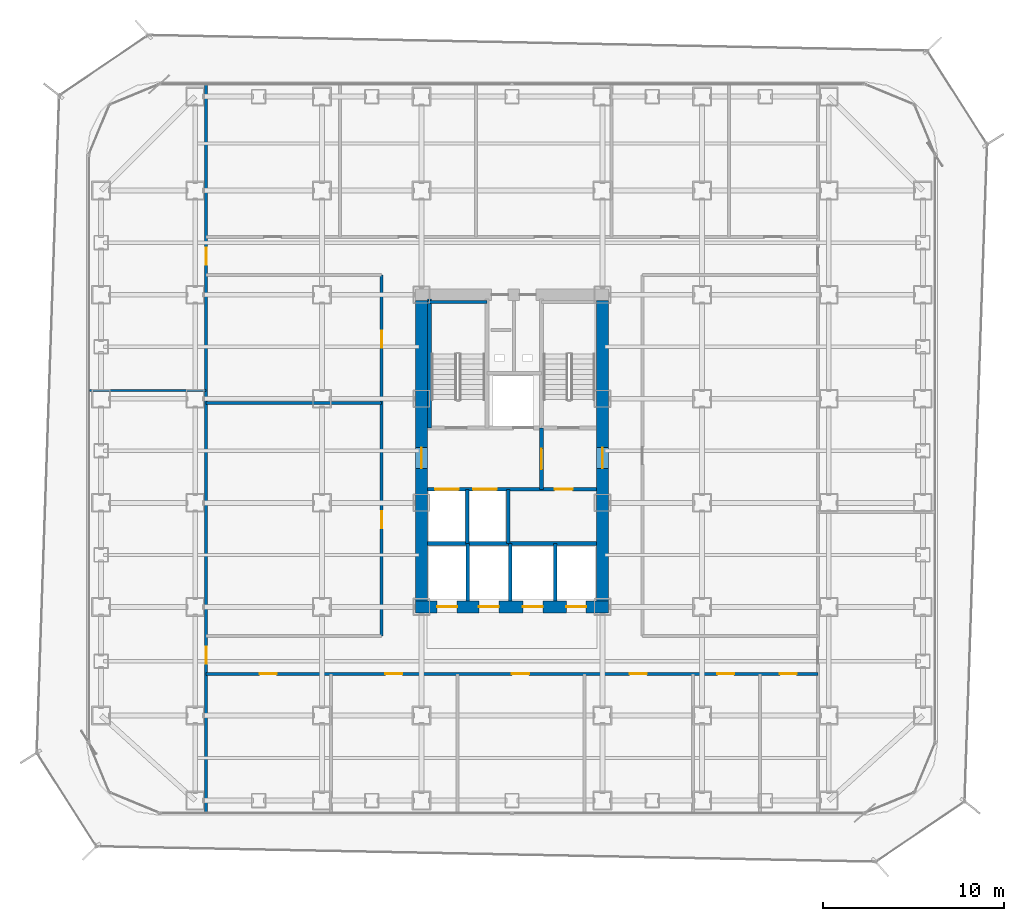
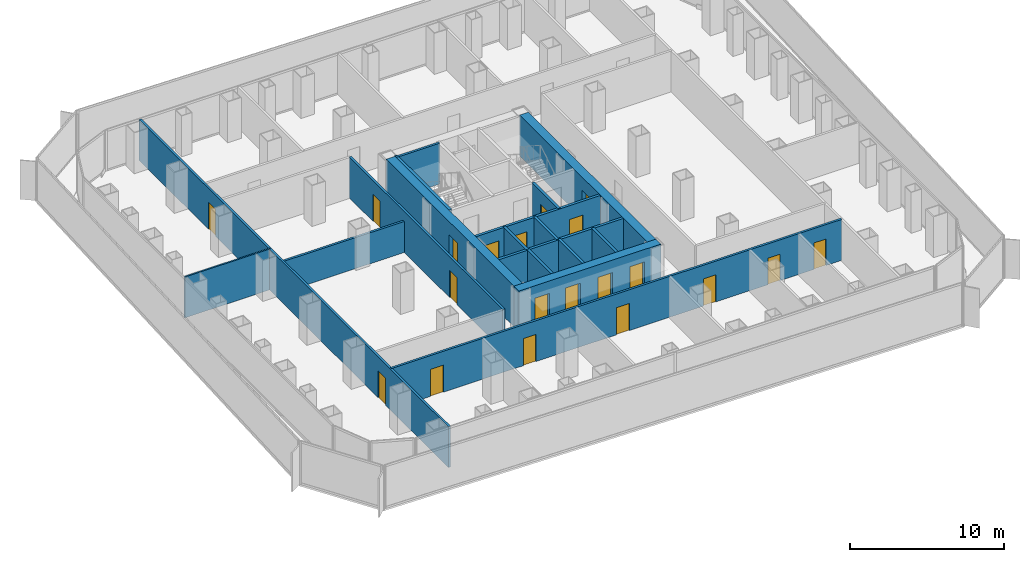
# One storey, part 17 of 22: 20 doors, 18 walls, 20 openings.
"""IFC4 building model written with IfcOpenShell, lengths in metres."""

from ifc_helpers import new_model, si_unit, direction, frame, frame_2d, origin, place, context, subcontext, project, spatial, rectangle, extrude, material, layer, layer_set, type_object, element, fill, save


model = new_model("IFC4")

# Units and contexts
model_context = context("Model", 3, precision=1e-05, world=origin(), true_north=direction((0.0, 1.0)))
body_context = subcontext(model_context, "Body", "Model", "MODEL_VIEW")
ifc_project = project(units=[si_unit("LENGTHUNIT", "METRE"), si_unit("AREAUNIT", "SQUARE_METRE"), si_unit("VOLUMEUNIT", "CUBIC_METRE"), si_unit("PLANEANGLEUNIT", "RADIAN"), si_unit("MASSUNIT", "GRAM", prefix="KILO")], contexts=[model_context])

# Site, building, storey
site_placement = place(None, origin())
site = spatial("IfcSite", under=ifc_project, at=site_placement, CompositionType="ELEMENT")
building_placement = place(site_placement, origin())
building = spatial("IfcBuilding", under=site, at=building_placement, Name="Kolveth Station Tower", CompositionType="ELEMENT")
storey_placement = place(building_placement, frame((0.0, 0.0, 84.60009765625)))
storey = spatial("IfcBuildingStorey", under=building, at=storey_placement, Name="L22", CompositionType="ELEMENT", Elevation=84.60009765625)

# Wall, openings, doors
ifc_material_1 = material(Name="Concrete C60/75", Category="concrete")
ifc_layer_1 = layer(ifc_material_1, 0.64990234375)
ifc_layer_set_1 = layer_set([ifc_layer_1], Name="Concrete C60/75")
wall_type_1 = type_object("IfcWallType", Name="Wall_CW-650", PredefinedType="SHEAR", material=ifc_layer_set_1)
wall_1_placement = place(storey_placement, frame((18.175048828125, 11.5, 0.0), z_axis=(0.0, 0.0, 1.0), x_axis=(1.0, 0.0, 0.0)))
wall_1 = element("IfcWall", 1, at=wall_1_placement, inside=storey, type_object=wall_type_1, Name="L22 Core RC Shear Wall S", PredefinedType="SHEAR", context=body_context, shape_type="SweptSolid", body=[
    extrude(rectangle(XDim=10.64990234375, YDim=0.64990234375, at=frame_2d((5.324951171875, 0.0))), origin(), (0.0, 0.0, 1.0), 3.239990234375),
])
opening_1_placement = place(wall_1_placement, frame((1.195068359375, 0.0, 0.0)))
opening_1 = element("IfcOpeningElement", 2, at=opening_1_placement, cuts=wall_1, Name="Opening LD1", PredefinedType="OPENING", context=body_context, shape_type="SweptSolid", body=[
    extrude(rectangle(XDim=1.10009765625, YDim=2.25, at=frame_2d((0.550048828125, 1.125))), frame((0.0, 0.3349609375, 0.0), z_axis=(0.0, -1.0, 0.0), x_axis=(1.0, 0.0, 0.0)), (0.0, 0.0, 1.0), 0.669921875),
])
opening_2_placement = place(wall_1_placement, frame((3.4951171875, 0.0, 0.0)))
opening_2 = element("IfcOpeningElement", 3, at=opening_2_placement, cuts=wall_1, Name="Opening LD1", PredefinedType="OPENING", context=body_context, shape_type="SweptSolid", body=[
    extrude(rectangle(XDim=1.10009765625, YDim=2.25, at=frame_2d((0.550048828125, 1.125))), frame((0.0, 0.3349609375, 0.0), z_axis=(0.0, -1.0, 0.0), x_axis=(1.0, 0.0, 0.0)), (0.0, 0.0, 1.0), 0.669921875),
])
opening_3_placement = place(wall_1_placement, frame((5.925048828125, 0.0, 0.0)))
opening_3 = element("IfcOpeningElement", 4, at=opening_3_placement, cuts=wall_1, Name="Opening LD1", PredefinedType="OPENING", context=body_context, shape_type="SweptSolid", body=[
    extrude(rectangle(XDim=1.10009765625, YDim=2.25, at=frame_2d((0.550048828125, 1.125))), frame((0.0, 0.3349609375, 0.0), z_axis=(0.0, -1.0, 0.0), x_axis=(1.0, 0.0, 0.0)), (0.0, 0.0, 1.0), 0.669921875),
])
opening_4_placement = place(wall_1_placement, frame((8.324951171875, 0.0, 0.0)))
opening_4 = element("IfcOpeningElement", 5, at=opening_4_placement, cuts=wall_1, Name="Opening LD1", PredefinedType="OPENING", context=body_context, shape_type="SweptSolid", body=[
    extrude(rectangle(XDim=1.10009765625, YDim=2.25, at=frame_2d((0.550048828125, 1.125))), frame((0.0, 0.3349609375, 0.0), z_axis=(0.0, -1.0, 0.0), x_axis=(1.0, 0.0, 0.0)), (0.0, 0.0, 1.0), 0.669921875),
])
ifc_material_2 = material(Name="Brushed stainless steel sliding landing doors", Category="steel")
door_type_1 = type_object("IfcDoorType", Name="Door_LD1", OperationType="NOTDEFINED", PredefinedType="DOOR", material=ifc_material_2)
door_1_placement = place(opening_1_placement, frame((1.10009765625, 0.0, 0.0), z_axis=(0.0, 0.0, 1.0), x_axis=(-1.0, 0.0, 0.0)))
door_1 = element("IfcDoor", 6, at=door_1_placement, inside=storey, type_object=door_type_1, Name="L22 Lift PL1 Landing Door", OperationType="DOUBLE_DOOR_SLIDING", OverallHeight=2.25, OverallWidth=1.10009765625, PredefinedType="DOOR", context=body_context, shape_type="SweptSolid", body=[
    extrude(rectangle(XDim=1.10009765625, YDim=2.25, at=frame_2d((0.550048828125, 1.125))), frame((0.0, 0.02490234375, 0.0), z_axis=(0.0, -1.0, 0.0), x_axis=(1.0, 0.0, 0.0)), (0.0, 0.0, 1.0), 0.050048828125),
])
fill(opening_1, door_1)
door_2_placement = place(opening_2_placement, frame((1.10009765625, 0.0, 0.0), z_axis=(0.0, 0.0, 1.0), x_axis=(-1.0, 0.0, 0.0)))
door_2 = element("IfcDoor", 7, at=door_2_placement, inside=storey, type_object=door_type_1, Name="L22 Lift PL2 Landing Door", OperationType="DOUBLE_DOOR_SLIDING", OverallHeight=2.25, OverallWidth=1.10009765625, PredefinedType="DOOR", context=body_context, shape_type="SweptSolid", body=[
    extrude(rectangle(XDim=1.10009765625, YDim=2.25, at=frame_2d((0.550048828125, 1.125))), frame((0.0, 0.02490234375, 0.0), z_axis=(0.0, -1.0, 0.0), x_axis=(1.0, 0.0, 0.0)), (0.0, 0.0, 1.0), 0.050048828125),
])
fill(opening_2, door_2)
door_3_placement = place(opening_3_placement, frame((1.10009765625, 0.0, 0.0), z_axis=(0.0, 0.0, 1.0), x_axis=(-1.0, 0.0, 0.0)))
door_3 = element("IfcDoor", 8, at=door_3_placement, inside=storey, type_object=door_type_1, Name="L22 Lift PM1 Landing Door", OperationType="DOUBLE_DOOR_SLIDING", OverallHeight=2.25, OverallWidth=1.10009765625, PredefinedType="DOOR", context=body_context, shape_type="SweptSolid", body=[
    extrude(rectangle(XDim=1.10009765625, YDim=2.25, at=frame_2d((0.550048828125, 1.125))), frame((0.0, 0.02490234375, 0.0), z_axis=(0.0, -1.0, 0.0), x_axis=(1.0, 0.0, 0.0)), (0.0, 0.0, 1.0), 0.050048828125),
])
fill(opening_3, door_3)
door_4_placement = place(opening_4_placement, frame((1.10009765625, 0.0, 0.0), z_axis=(0.0, 0.0, 1.0), x_axis=(-1.0, 0.0, 0.0)))
door_4 = element("IfcDoor", 9, at=door_4_placement, inside=storey, type_object=door_type_1, Name="L22 Lift PH1 Landing Door", OperationType="DOUBLE_DOOR_SLIDING", OverallHeight=2.25, OverallWidth=1.10009765625, PredefinedType="DOOR", context=body_context, shape_type="SweptSolid", body=[
    extrude(rectangle(XDim=1.10009765625, YDim=2.25, at=frame_2d((0.550048828125, 1.125))), frame((0.0, 0.02490234375, 0.0), z_axis=(0.0, -1.0, 0.0), x_axis=(1.0, 0.0, 0.0)), (0.0, 0.0, 1.0), 0.050048828125),
])
fill(opening_4, door_4)

# Wall, opening, door
wall_2_placement = place(storey_placement, frame((18.5, 11.824951171875, 0.0), z_axis=(0.0, 0.0, 1.0), x_axis=(0.0, 1.0, 0.0)))
wall_2 = element("IfcWall", 10, at=wall_2_placement, inside=storey, type_object=wall_type_1, Name="L22 Core RC Shear Wall W", PredefinedType="SHEAR", context=body_context, shape_type="SweptSolid", body=[
    extrude(rectangle(XDim=16.60009765625, YDim=0.64990234375, at=frame_2d((8.300048828125, 0.0))), origin(), (0.0, 0.0, 1.0), 3.239990234375),
])
opening_5_placement = place(wall_2_placement, frame((7.324951171875, 0.0, 0.0)))
opening_5 = element("IfcOpeningElement", 11, at=opening_5_placement, cuts=wall_2, Name="Opening FD1", PredefinedType="OPENING", context=body_context, shape_type="SweptSolid", body=[
    extrude(rectangle(XDim=1.14990234375, YDim=2.199951171875, at=frame_2d((0.574951171875, 1.10009765625))), frame((0.0, 0.3349609375, 0.0), z_axis=(0.0, -1.0, 0.0), x_axis=(1.0, 0.0, 0.0)), (0.0, 0.0, 1.0), 0.669921875),
])
ifc_material_3 = material(Name="Fire-rated Steel S355 leaf and frame", Category="steel")
door_type_2 = type_object("IfcDoorType", Name="Door_FD1", OperationType="NOTDEFINED", PredefinedType="DOOR", material=ifc_material_3)
door_5_placement = place(opening_5_placement, frame((1.14990234375, 0.0, 0.0), z_axis=(0.0, 0.0, 1.0), x_axis=(-1.0, 0.0, 0.0)))
door_5 = element("IfcDoor", 12, at=door_5_placement, inside=storey, type_object=door_type_2, Name="L22 West Corridor to Firefighting Lobby Door", OperationType="SINGLE_SWING_RIGHT", OverallHeight=2.199951171875, OverallWidth=1.14990234375, PredefinedType="DOOR", context=body_context, shape_type="SweptSolid", body=[
    extrude(rectangle(XDim=1.14990234375, YDim=2.199951171875, at=frame_2d((0.574951171875, 1.10009765625))), frame((0.0, 0.02490234375, 0.0), z_axis=(0.0, -1.0, 0.0), x_axis=(1.0, 0.0, 0.0)), (0.0, 0.0, 1.0), 0.050048828125),
])
fill(opening_5, door_5)

wall_3_placement = place(storey_placement, frame((28.5, 11.824951171875, 0.0), z_axis=(0.0, 0.0, 1.0), x_axis=(0.0, 1.0, 0.0)))
wall_3 = element("IfcWall", 13, at=wall_3_placement, inside=storey, type_object=wall_type_1, Name="L22 Core RC Shear Wall E", PredefinedType="SHEAR", context=body_context, shape_type="SweptSolid", body=[
    extrude(rectangle(XDim=16.60009765625, YDim=0.64990234375, at=frame_2d((8.300048828125, 0.0))), origin(), (0.0, 0.0, 1.0), 3.239990234375),
])
opening_6_placement = place(wall_3_placement, frame((7.324951171875, 0.0, 0.0)))
opening_6 = element("IfcOpeningElement", 14, at=opening_6_placement, cuts=wall_3, Name="Opening FD1", PredefinedType="OPENING", context=body_context, shape_type="SweptSolid", body=[
    extrude(rectangle(XDim=1.14990234375, YDim=2.199951171875, at=frame_2d((0.574951171875, 1.10009765625))), frame((0.0, 0.3349609375, 0.0), z_axis=(0.0, -1.0, 0.0), x_axis=(1.0, 0.0, 0.0)), (0.0, 0.0, 1.0), 0.669921875),
])
door_6_placement = place(opening_6_placement, origin())
door_6 = element("IfcDoor", 15, at=door_6_placement, inside=storey, type_object=door_type_2, Name="L22 East Corridor to Stair Lobby Door", OperationType="SINGLE_SWING_LEFT", OverallHeight=2.199951171875, OverallWidth=1.14990234375, PredefinedType="DOOR", context=body_context, shape_type="SweptSolid", body=[
    extrude(rectangle(XDim=1.14990234375, YDim=2.199951171875, at=frame_2d((0.574951171875, 1.10009765625))), frame((0.0, 0.02490234375, 0.0), z_axis=(0.0, -1.0, 0.0), x_axis=(1.0, 0.0, 0.0)), (0.0, 0.0, 1.0), 0.050048828125),
])
fill(opening_6, door_6)

# Walls
ifc_material_4 = material(Name="Framed gypsum partition")
ifc_layer_2 = layer(ifc_material_4, 0.114990234375)
ifc_layer_set_2 = layer_set([ifc_layer_2], Name="Framed gypsum partition")
wall_type_2 = type_object("IfcWallType", Name="Wall_IW-115", PredefinedType="PARTITIONING", material=ifc_layer_set_2)
wall_4_placement = place(storey_placement, frame((0.159912109375, 23.449951171875, 0.0), z_axis=(0.0, 0.0, 1.0), x_axis=(1.0, 0.0, 0.0)))
element("IfcWall", 16, at=wall_4_placement, inside=storey, type_object=wall_type_2, Name="L22 Partition Wall WL-L22-OWM", PredefinedType="PARTITIONING", context=body_context, shape_type="SweptSolid", body=[
    extrude(rectangle(XDim=6.440185546875, YDim=0.114990234375, at=frame_2d((3.22021484375, 0.0))), origin(), (0.0, 0.0, 1.0), 3.239990234375),
])
ifc_material_5 = material(Name="Acoustic double-stud gypsum partition")
ifc_layer_3 = layer(ifc_material_5, 0.1650390625)
ifc_layer_set_3 = layer_set([ifc_layer_3], Name="Acoustic double-stud gypsum partition")
wall_type_3 = type_object("IfcWallType", Name="Wall_IW-165", PredefinedType="PARTITIONING", material=ifc_layer_set_3)
wall_5_placement = place(storey_placement, frame((18.8349609375, 28.3349609375, 0.0), z_axis=(0.0, 0.0, 1.0), x_axis=(1.0, 0.0, 0.0)))
element("IfcWall", 17, at=wall_5_placement, inside=storey, type_object=wall_type_3, Name="L22 Stair Shaft Wall WL-L22-ST1-N", PredefinedType="PARTITIONING", context=body_context, shape_type="SweptSolid", body=[
    extrude(rectangle(XDim=3.275146484375, YDim=0.1650390625, at=frame_2d((1.6376953125, 0.0))), origin(), (0.0, 0.0, 1.0), 3.239990234375),
])

# Wall, openings, doors
wall_6_placement = place(storey_placement, frame((6.60009765625, 7.800048828125, 0.0), z_axis=(0.0, 0.0, 1.0), x_axis=(1.0, 0.0, 0.0)))
wall_6 = element("IfcWall", 18, at=wall_6_placement, inside=storey, type_object=wall_type_3, Name="L22 Partition Wall WL-L22-OS", PredefinedType="PARTITIONING", context=body_context, shape_type="SweptSolid", body=[
    extrude(rectangle(XDim=33.7998046875, YDim=0.1650390625, at=frame_2d((16.89990234375, 0.0))), origin(), (0.0, 0.0, 1.0), 3.239990234375),
])
opening_7_placement = place(wall_6_placement, frame((2.949951171875, 0.0, 0.0)))
opening_7 = element("IfcOpeningElement", 19, at=opening_7_placement, cuts=wall_6, Name="Opening ID1", PredefinedType="OPENING", context=body_context, shape_type="SweptSolid", body=[
    extrude(rectangle(XDim=0.949951171875, YDim=2.14990234375, at=frame_2d((0.47509765625, 1.074951171875))), frame((0.0, 0.092529296875, 0.0), z_axis=(0.0, -1.0, 0.0), x_axis=(1.0, 0.0, 0.0)), (0.0, 0.0, 1.0), 0.18505859375),
])
opening_8_placement = place(wall_6_placement, frame((9.89990234375, 0.0, 0.0)))
opening_8 = element("IfcOpeningElement", 20, at=opening_8_placement, cuts=wall_6, Name="Opening ID1", PredefinedType="OPENING", context=body_context, shape_type="SweptSolid", body=[
    extrude(rectangle(XDim=0.949951171875, YDim=2.14990234375, at=frame_2d((0.47509765625, 1.074951171875))), frame((0.0, 0.092529296875, 0.0), z_axis=(0.0, -1.0, 0.0), x_axis=(1.0, 0.0, 0.0)), (0.0, 0.0, 1.0), 0.18505859375),
])
opening_9_placement = place(wall_6_placement, frame((16.89990234375, 0.0, 0.0)))
opening_9 = element("IfcOpeningElement", 21, at=opening_9_placement, cuts=wall_6, Name="Opening ID1", PredefinedType="OPENING", context=body_context, shape_type="SweptSolid", body=[
    extrude(rectangle(XDim=0.949951171875, YDim=2.14990234375, at=frame_2d((0.47509765625, 1.074951171875))), frame((0.0, 0.092529296875, 0.0), z_axis=(0.0, -1.0, 0.0), x_axis=(1.0, 0.0, 0.0)), (0.0, 0.0, 1.0), 0.18505859375),
])
opening_10_placement = place(wall_6_placement, frame((23.39990234375, 0.0, 0.0)))
opening_10 = element("IfcOpeningElement", 22, at=opening_10_placement, cuts=wall_6, Name="Opening ID1", PredefinedType="OPENING", context=body_context, shape_type="SweptSolid", body=[
    extrude(rectangle(XDim=0.949951171875, YDim=2.14990234375, at=frame_2d((0.47509765625, 1.074951171875))), frame((0.0, 0.092529296875, 0.0), z_axis=(0.0, -1.0, 0.0), x_axis=(1.0, 0.0, 0.0)), (0.0, 0.0, 1.0), 0.18505859375),
])
opening_11_placement = place(wall_6_placement, frame((28.25, 0.0, 0.0)))
opening_11 = element("IfcOpeningElement", 23, at=opening_11_placement, cuts=wall_6, Name="Opening ID2", PredefinedType="OPENING", context=body_context, shape_type="SweptSolid", body=[
    extrude(rectangle(XDim=0.919921875, YDim=2.10009765625, at=frame_2d((0.4599609375, 1.050048828125))), frame((0.0, 0.092529296875, 0.0), z_axis=(0.0, -1.0, 0.0), x_axis=(1.0, 0.0, 0.0)), (0.0, 0.0, 1.0), 0.18505859375),
])
opening_12_placement = place(wall_6_placement, frame((31.699951171875, 0.0, 0.0)))
opening_12 = element("IfcOpeningElement", 24, at=opening_12_placement, cuts=wall_6, Name="Opening ID2", PredefinedType="OPENING", context=body_context, shape_type="SweptSolid", body=[
    extrude(rectangle(XDim=0.919921875, YDim=2.10009765625, at=frame_2d((0.4599609375, 1.050048828125))), frame((0.0, 0.092529296875, 0.0), z_axis=(0.0, -1.0, 0.0), x_axis=(1.0, 0.0, 0.0)), (0.0, 0.0, 1.0), 0.18505859375),
])
ifc_material_6 = material(Name="Acoustic hardwood leaf and aluminium frame", Category="wood")
door_type_3 = type_object("IfcDoorType", Name="Door_ID1", OperationType="NOTDEFINED", PredefinedType="DOOR", material=ifc_material_6)
door_7_placement = place(opening_7_placement, frame((0.949951171875, 0.0, 0.0), z_axis=(0.0, 0.0, 1.0), x_axis=(-1.0, 0.0, 0.0)))
door_7 = element("IfcDoor", 25, at=door_7_placement, inside=storey, type_object=door_type_3, Name="L22 Wellness Treatment Room 1 Door", OperationType="SINGLE_SWING_LEFT", OverallHeight=2.14990234375, OverallWidth=0.949951171875, PredefinedType="DOOR", context=body_context, shape_type="SweptSolid", body=[
    extrude(rectangle(XDim=0.949951171875, YDim=2.14990234375, at=frame_2d((0.47509765625, 1.074951171875))), frame((0.0, 0.02490234375, 0.0), z_axis=(0.0, -1.0, 0.0), x_axis=(1.0, 0.0, 0.0)), (0.0, 0.0, 1.0), 0.050048828125),
])
fill(opening_7, door_7)
door_8_placement = place(opening_8_placement, frame((0.949951171875, 0.0, 0.0), z_axis=(0.0, 0.0, 1.0), x_axis=(-1.0, 0.0, 0.0)))
door_8 = element("IfcDoor", 26, at=door_8_placement, inside=storey, type_object=door_type_3, Name="L22 Wellness Treatment Room 2 Door", OperationType="SINGLE_SWING_LEFT", OverallHeight=2.14990234375, OverallWidth=0.949951171875, PredefinedType="DOOR", context=body_context, shape_type="SweptSolid", body=[
    extrude(rectangle(XDim=0.949951171875, YDim=2.14990234375, at=frame_2d((0.47509765625, 1.074951171875))), frame((0.0, 0.02490234375, 0.0), z_axis=(0.0, -1.0, 0.0), x_axis=(1.0, 0.0, 0.0)), (0.0, 0.0, 1.0), 0.050048828125),
])
fill(opening_8, door_8)
door_9_placement = place(opening_9_placement, frame((0.949951171875, 0.0, 0.0), z_axis=(0.0, 0.0, 1.0), x_axis=(-1.0, 0.0, 0.0)))
door_9 = element("IfcDoor", 27, at=door_9_placement, inside=storey, type_object=door_type_3, Name="L22 Wellness Treatment Room 3 Door", OperationType="SINGLE_SWING_RIGHT", OverallHeight=2.14990234375, OverallWidth=0.949951171875, PredefinedType="DOOR", context=body_context, shape_type="SweptSolid", body=[
    extrude(rectangle(XDim=0.949951171875, YDim=2.14990234375, at=frame_2d((0.47509765625, 1.074951171875))), frame((0.0, 0.02490234375, 0.0), z_axis=(0.0, -1.0, 0.0), x_axis=(1.0, 0.0, 0.0)), (0.0, 0.0, 1.0), 0.050048828125),
])
fill(opening_9, door_9)
door_10_placement = place(opening_10_placement, frame((0.949951171875, 0.0, 0.0), z_axis=(0.0, 0.0, 1.0), x_axis=(-1.0, 0.0, 0.0)))
door_10 = element("IfcDoor", 28, at=door_10_placement, inside=storey, type_object=door_type_3, Name="L22 Executive Study 1 Door", OperationType="SINGLE_SWING_LEFT", OverallHeight=2.14990234375, OverallWidth=0.949951171875, PredefinedType="DOOR", context=body_context, shape_type="SweptSolid", body=[
    extrude(rectangle(XDim=0.949951171875, YDim=2.14990234375, at=frame_2d((0.47509765625, 1.074951171875))), frame((0.0, 0.02490234375, 0.0), z_axis=(0.0, -1.0, 0.0), x_axis=(1.0, 0.0, 0.0)), (0.0, 0.0, 1.0), 0.050048828125),
])
fill(opening_10, door_10)
ifc_material_7 = material(Name="Moisture-resistant hardwood leaf", Category="wood")
door_type_4 = type_object("IfcDoorType", Name="Door_ID2", OperationType="NOTDEFINED", PredefinedType="DOOR", material=ifc_material_7)
door_11_placement = place(opening_11_placement, frame((0.919921875, 0.0, 0.0), z_axis=(0.0, 0.0, 1.0), x_axis=(-1.0, 0.0, 0.0)))
door_11 = element("IfcDoor", 29, at=door_11_placement, inside=storey, type_object=door_type_4, Name="L22 Staff WC Door", OperationType="SINGLE_SWING_RIGHT", OverallHeight=2.10009765625, OverallWidth=0.919921875, PredefinedType="DOOR", context=body_context, shape_type="SweptSolid", body=[
    extrude(rectangle(XDim=0.919921875, YDim=2.10009765625, at=frame_2d((0.4599609375, 1.050048828125))), frame((0.0, 0.02490234375, 0.0), z_axis=(0.0, -1.0, 0.0), x_axis=(1.0, 0.0, 0.0)), (0.0, 0.0, 1.0), 0.050048828125),
])
fill(opening_11, door_11)
door_12_placement = place(opening_12_placement, frame((0.919921875, 0.0, 0.0), z_axis=(0.0, 0.0, 1.0), x_axis=(-1.0, 0.0, 0.0)))
door_12 = element("IfcDoor", 30, at=door_12_placement, inside=storey, type_object=door_type_4, Name="L22 Accessible WC Door", OperationType="SINGLE_SWING_LEFT", OverallHeight=2.10009765625, OverallWidth=0.919921875, PredefinedType="DOOR", context=body_context, shape_type="SweptSolid", body=[
    extrude(rectangle(XDim=0.919921875, YDim=2.10009765625, at=frame_2d((0.4599609375, 1.050048828125))), frame((0.0, 0.02490234375, 0.0), z_axis=(0.0, -1.0, 0.0), x_axis=(1.0, 0.0, 0.0)), (0.0, 0.0, 1.0), 0.050048828125),
])
fill(opening_12, door_12)

wall_7_placement = place(storey_placement, frame((16.300048828125, 9.89990234375, 0.0), z_axis=(0.0, 0.0, 1.0), x_axis=(0.0, 1.0, 0.0)))
wall_7 = element("IfcWall", 31, at=wall_7_placement, inside=storey, type_object=wall_type_3, Name="L22 Partition Wall WL-L22-OCW", PredefinedType="PARTITIONING", context=body_context, shape_type="SweptSolid", body=[
    extrude(rectangle(XDim=19.9501953125, YDim=0.1650390625, at=frame_2d((9.97509765625, 0.0))), origin(), (0.0, 0.0, 1.0), 3.239990234375),
])
opening_13_placement = place(wall_7_placement, frame((5.93701171875, 0.0, 0.0)))
opening_13 = element("IfcOpeningElement", 32, at=opening_13_placement, cuts=wall_7, Name="Opening ID1", PredefinedType="OPENING", context=body_context, shape_type="SweptSolid", body=[
    extrude(rectangle(XDim=0.949951171875, YDim=2.14990234375, at=frame_2d((0.47509765625, 1.074951171875))), frame((0.0, 0.092529296875, 0.0), z_axis=(0.0, -1.0, 0.0), x_axis=(1.0, 0.0, 0.0)), (0.0, 0.0, 1.0), 0.18505859375),
])
opening_14_placement = place(wall_7_placement, frame((15.910888671875, 0.0, 0.0)))
opening_14 = element("IfcOpeningElement", 33, at=opening_14_placement, cuts=wall_7, Name="Opening ID1", PredefinedType="OPENING", context=body_context, shape_type="SweptSolid", body=[
    extrude(rectangle(XDim=0.949951171875, YDim=2.14990234375, at=frame_2d((0.47509765625, 1.074951171875))), frame((0.0, 0.092529296875, 0.0), z_axis=(0.0, -1.0, 0.0), x_axis=(1.0, 0.0, 0.0)), (0.0, 0.0, 1.0), 0.18505859375),
])
door_13_placement = place(opening_13_placement, frame((0.949951171875, 0.0, 0.0), z_axis=(0.0, 0.0, 1.0), x_axis=(-1.0, 0.0, 0.0)))
door_13 = element("IfcDoor", 34, at=door_13_placement, inside=storey, type_object=door_type_3, Name="L22 Internal Meeting Room W1 Door", OperationType="SINGLE_SWING_LEFT", OverallHeight=2.14990234375, OverallWidth=0.949951171875, PredefinedType="DOOR", context=body_context, shape_type="SweptSolid", body=[
    extrude(rectangle(XDim=0.949951171875, YDim=2.14990234375, at=frame_2d((0.47509765625, 1.074951171875))), frame((0.0, 0.02490234375, 0.0), z_axis=(0.0, -1.0, 0.0), x_axis=(1.0, 0.0, 0.0)), (0.0, 0.0, 1.0), 0.050048828125),
])
fill(opening_13, door_13)
door_14_placement = place(opening_14_placement, frame((0.949951171875, 0.0, 0.0), z_axis=(0.0, 0.0, 1.0), x_axis=(-1.0, 0.0, 0.0)))
door_14 = element("IfcDoor", 35, at=door_14_placement, inside=storey, type_object=door_type_3, Name="L22 Print and Archive Room Door", OperationType="SINGLE_SWING_RIGHT", OverallHeight=2.14990234375, OverallWidth=0.949951171875, PredefinedType="DOOR", context=body_context, shape_type="SweptSolid", body=[
    extrude(rectangle(XDim=0.949951171875, YDim=2.14990234375, at=frame_2d((0.47509765625, 1.074951171875))), frame((0.0, 0.02490234375, 0.0), z_axis=(0.0, -1.0, 0.0), x_axis=(1.0, 0.0, 0.0)), (0.0, 0.0, 1.0), 0.050048828125),
])
fill(opening_14, door_14)

wall_8_placement = place(storey_placement, frame((6.60009765625, 0.159912109375, 0.0), z_axis=(0.0, 0.0, 1.0), x_axis=(0.0, 1.0, 0.0)))
wall_8 = element("IfcWall", 36, at=wall_8_placement, inside=storey, type_object=wall_type_3, Name="L22 Partition Wall WL-L22-OWEND", PredefinedType="PARTITIONING", context=body_context, shape_type="SweptSolid", body=[
    extrude(rectangle(XDim=40.18017578125, YDim=0.1650390625, at=frame_2d((20.090087890625, 0.0))), origin(), (0.0, 0.0, 1.0), 3.239990234375),
])
opening_15_placement = place(wall_8_placement, frame((8.18994140625, 0.0, 0.0)))
opening_15 = element("IfcOpeningElement", 37, at=opening_15_placement, cuts=wall_8, Name="Opening ID1", PredefinedType="OPENING", context=body_context, shape_type="SweptSolid", body=[
    extrude(rectangle(XDim=0.949951171875, YDim=2.14990234375, at=frame_2d((0.47509765625, 1.074951171875))), frame((0.0, 0.092529296875, 0.0), z_axis=(0.0, -1.0, 0.0), x_axis=(1.0, 0.0, 0.0)), (0.0, 0.0, 1.0), 0.18505859375),
])
opening_16_placement = place(wall_8_placement, frame((30.239990234375, 0.0, 0.0)))
opening_16 = element("IfcOpeningElement", 38, at=opening_16_placement, cuts=wall_8, Name="Opening ID1", PredefinedType="OPENING", context=body_context, shape_type="SweptSolid", body=[
    extrude(rectangle(XDim=0.949951171875, YDim=2.14990234375, at=frame_2d((0.47509765625, 1.074951171875))), frame((0.0, 0.092529296875, 0.0), z_axis=(0.0, -1.0, 0.0), x_axis=(1.0, 0.0, 0.0)), (0.0, 0.0, 1.0), 0.18505859375),
])
door_15_placement = place(opening_15_placement, frame((0.949951171875, 0.0, 0.0), z_axis=(0.0, 0.0, 1.0), x_axis=(-1.0, 0.0, 0.0)))
door_15 = element("IfcDoor", 39, at=door_15_placement, inside=storey, type_object=door_type_3, Name="L22 West-South Wing Door", OperationType="SINGLE_SWING_LEFT", OverallHeight=2.14990234375, OverallWidth=0.949951171875, PredefinedType="DOOR", context=body_context, shape_type="SweptSolid", body=[
    extrude(rectangle(XDim=0.949951171875, YDim=2.14990234375, at=frame_2d((0.47509765625, 1.074951171875))), frame((0.0, 0.02490234375, 0.0), z_axis=(0.0, -1.0, 0.0), x_axis=(1.0, 0.0, 0.0)), (0.0, 0.0, 1.0), 0.050048828125),
])
fill(opening_15, door_15)
door_16_placement = place(opening_16_placement, frame((0.949951171875, 0.0, 0.0), z_axis=(0.0, 0.0, 1.0), x_axis=(-1.0, 0.0, 0.0)))
door_16 = element("IfcDoor", 40, at=door_16_placement, inside=storey, type_object=door_type_3, Name="L22 West-North Wing Door", OperationType="SINGLE_SWING_RIGHT", OverallHeight=2.14990234375, OverallWidth=0.949951171875, PredefinedType="DOOR", context=body_context, shape_type="SweptSolid", body=[
    extrude(rectangle(XDim=0.949951171875, YDim=2.14990234375, at=frame_2d((0.47509765625, 1.074951171875))), frame((0.0, 0.02490234375, 0.0), z_axis=(0.0, -1.0, 0.0), x_axis=(1.0, 0.0, 0.0)), (0.0, 0.0, 1.0), 0.050048828125),
])
fill(opening_16, door_16)

# Wall
wall_9_placement = place(storey_placement, frame((6.60009765625, 22.77294921875, 0.0), z_axis=(0.0, 0.0, 1.0), x_axis=(1.0, 0.0, 0.0)))
element("IfcWall", 41, at=wall_9_placement, inside=storey, type_object=wall_type_3, Name="L22 Partition Wall WL-L22-OIW-P1", PredefinedType="PARTITIONING", context=body_context, shape_type="SweptSolid", body=[
    extrude(rectangle(XDim=9.699951171875, YDim=0.1650390625, at=frame_2d((4.85009765625, 0.0))), origin(), (0.0, 0.0, 1.0), 2.458984375),
])

# Wall, opening, door
ifc_material_8 = material(Name="Acoustic fire-rated gypsum blockwork", Category="masonry")
ifc_layer_4 = layer(ifc_material_8, 0.199951171875)
ifc_layer_set_4 = layer_set([ifc_layer_4], Name="Acoustic fire-rated gypsum blockwork")
wall_type_4 = type_object("IfcWallType", Name="Wall_IW-200", PredefinedType="PARTITIONING", material=ifc_layer_set_4)
wall_10_placement = place(storey_placement, frame((25.1298828125, 18.0, 0.0), z_axis=(0.0, 0.0, 1.0), x_axis=(0.0, 1.0, 0.0)))
wall_10 = element("IfcWall", 42, at=wall_10_placement, inside=storey, type_object=wall_type_4, Name="L22 Partition Wall WL-L22-FFL-E", PredefinedType="PARTITIONING", context=body_context, shape_type="SweptSolid", body=[
    extrude(rectangle(XDim=3.389892578125, YDim=0.199951171875, at=frame_2d((1.69482421875, 0.0))), origin(), (0.0, 0.0, 1.0), 3.239990234375),
])
opening_17_placement = place(wall_10_placement, frame((1.10009765625, 0.0, 0.0)))
opening_17 = element("IfcOpeningElement", 43, at=opening_17_placement, cuts=wall_10, Name="Opening FD1", PredefinedType="OPENING", context=body_context, shape_type="SweptSolid", body=[
    extrude(rectangle(XDim=1.14990234375, YDim=2.199951171875, at=frame_2d((0.574951171875, 1.10009765625))), frame((0.0, 0.10986328125, 0.0), z_axis=(0.0, -1.0, 0.0), x_axis=(1.0, 0.0, 0.0)), (0.0, 0.0, 1.0), 0.219970703125),
])
door_17_placement = place(opening_17_placement, origin())
door_17 = element("IfcDoor", 44, at=door_17_placement, inside=storey, type_object=door_type_2, Name="L22 Firefighting to Stair Lobby Door", OperationType="SINGLE_SWING_RIGHT", OverallHeight=2.199951171875, OverallWidth=1.14990234375, PredefinedType="DOOR", context=body_context, shape_type="SweptSolid", body=[
    extrude(rectangle(XDim=1.14990234375, YDim=2.199951171875, at=frame_2d((0.574951171875, 1.10009765625))), frame((0.0, 0.02490234375, 0.0), z_axis=(0.0, -1.0, 0.0), x_axis=(1.0, 0.0, 0.0)), (0.0, 0.0, 1.0), 0.050048828125),
])
fill(opening_17, door_17)

# Wall, openings, doors
wall_11_placement = place(storey_placement, frame((18.8349609375, 18.0, 0.0), z_axis=(0.0, 0.0, 1.0), x_axis=(1.0, 0.0, 0.0)))
wall_11 = element("IfcWall", 45, at=wall_11_placement, inside=storey, type_object=wall_type_4, Name="L22 Partition Wall WL-L22-FFL-S", PredefinedType="PARTITIONING", context=body_context, shape_type="SweptSolid", body=[
    extrude(rectangle(XDim=9.330078125, YDim=0.199951171875, at=frame_2d((4.6650390625, 0.0))), origin(), (0.0, 0.0, 1.0), 3.239990234375),
])
opening_18_placement = place(wall_11_placement, frame((0.4150390625, 0.0, 0.0)))
opening_18 = element("IfcOpeningElement", 46, at=opening_18_placement, cuts=wall_11, Name="Opening LD2", PredefinedType="OPENING", context=body_context, shape_type="SweptSolid", body=[
    extrude(rectangle(XDim=1.300048828125, YDim=2.300048828125, at=frame_2d((0.64990234375, 1.14990234375))), frame((0.0, 0.10986328125, 0.0), z_axis=(0.0, -1.0, 0.0), x_axis=(1.0, 0.0, 0.0)), (0.0, 0.0, 1.0), 0.219970703125),
])
opening_19_placement = place(wall_11_placement, frame((2.514892578125, 0.0, 0.0)))
opening_19 = element("IfcOpeningElement", 47, at=opening_19_placement, cuts=wall_11, Name="Opening LD2", PredefinedType="OPENING", context=body_context, shape_type="SweptSolid", body=[
    extrude(rectangle(XDim=1.300048828125, YDim=2.300048828125, at=frame_2d((0.64990234375, 1.14990234375))), frame((0.0, 0.10986328125, 0.0), z_axis=(0.0, -1.0, 0.0), x_axis=(1.0, 0.0, 0.0)), (0.0, 0.0, 1.0), 0.219970703125),
])
opening_20_placement = place(wall_11_placement, frame((7.014892578125, 0.0, 0.0)))
opening_20 = element("IfcOpeningElement", 48, at=opening_20_placement, cuts=wall_11, Name="Opening FD3", PredefinedType="OPENING", context=body_context, shape_type="SweptSolid", body=[
    extrude(rectangle(XDim=1.0, YDim=2.14990234375, at=frame_2d((0.5, 1.074951171875))), frame((0.0, 0.10986328125, 0.0), z_axis=(0.0, -1.0, 0.0), x_axis=(1.0, 0.0, 0.0)), (0.0, 0.0, 1.0), 0.219970703125),
])
ifc_material_9 = material(Name="Fire-rated hardwood leaf and aluminium frame", Category="wood")
door_type_5 = type_object("IfcDoorType", Name="Door_FD3", OperationType="NOTDEFINED", PredefinedType="DOOR", material=ifc_material_9)
door_18_placement = place(opening_20_placement, frame((1.0, 0.0, 0.0), z_axis=(0.0, 0.0, 1.0), x_axis=(-1.0, 0.0, 0.0)))
door_18 = element("IfcDoor", 49, at=door_18_placement, inside=storey, type_object=door_type_5, Name="L22 Core Staff Pantry Door", OperationType="SINGLE_SWING_LEFT", OverallHeight=2.14990234375, OverallWidth=1.0, PredefinedType="DOOR", context=body_context, shape_type="SweptSolid", body=[
    extrude(rectangle(XDim=1.0, YDim=2.14990234375, at=frame_2d((0.5, 1.074951171875))), frame((0.0, 0.02490234375, 0.0), z_axis=(0.0, -1.0, 0.0), x_axis=(1.0, 0.0, 0.0)), (0.0, 0.0, 1.0), 0.050048828125),
])
fill(opening_20, door_18)
ifc_material_10 = material(Name="Firefighting stainless steel sliding landing doors", Category="steel")
door_type_6 = type_object("IfcDoorType", Name="Door_LD2", OperationType="NOTDEFINED", PredefinedType="DOOR", material=ifc_material_10)
door_19_placement = place(opening_18_placement, origin())
door_19 = element("IfcDoor", 50, at=door_19_placement, inside=storey, type_object=door_type_6, Name="L22 Firefighting Lift FF1 Landing Door", OperationType="DOUBLE_DOOR_SLIDING", OverallHeight=2.300048828125, OverallWidth=1.300048828125, PredefinedType="DOOR", context=body_context, shape_type="SweptSolid", body=[
    extrude(rectangle(XDim=1.300048828125, YDim=2.300048828125, at=frame_2d((0.64990234375, 1.14990234375))), frame((0.0, 0.02490234375, 0.0), z_axis=(0.0, -1.0, 0.0), x_axis=(1.0, 0.0, 0.0)), (0.0, 0.0, 1.0), 0.050048828125),
])
fill(opening_18, door_19)
door_20_placement = place(opening_19_placement, origin())
door_20 = element("IfcDoor", 51, at=door_20_placement, inside=storey, type_object=door_type_6, Name="L22 Firefighting Lift FF2 Landing Door", OperationType="DOUBLE_DOOR_SLIDING", OverallHeight=2.300048828125, OverallWidth=1.300048828125, PredefinedType="DOOR", context=body_context, shape_type="SweptSolid", body=[
    extrude(rectangle(XDim=1.300048828125, YDim=2.300048828125, at=frame_2d((0.64990234375, 1.14990234375))), frame((0.0, 0.02490234375, 0.0), z_axis=(0.0, -1.0, 0.0), x_axis=(1.0, 0.0, 0.0)), (0.0, 0.0, 1.0), 0.050048828125),
])
fill(opening_19, door_20)

# Walls
for number, where, z_axis, x_axis, name in (
    (52, (21.02001953125, 15.0, 0.0), (0.0, 0.0, 1.0), (0.0, 1.0, 0.0), "L22 Partition Wall WL-L22-FF12"),
    (53, (23.300048828125, 15.0, 0.0), (0.0, 0.0, 1.0), (0.0, 1.0, 0.0), "L22 Partition Wall WL-L22-FF2E"),
):
    element("IfcWall", number, at=place(storey_placement, frame(where, z_axis=z_axis, x_axis=x_axis)), inside=storey, type_object=wall_type_4, Name=name, PredefinedType="PARTITIONING", context=body_context, shape_type="SweptSolid", body=[
        extrude(rectangle(XDim=3.0, YDim=0.199951171875, at=frame_2d((1.5, 0.0))), origin(), (0.0, 0.0, 1.0), 3.239990234375),
    ])
wall_12_placement = place(storey_placement, frame((18.8349609375, 15.0, 0.0), z_axis=(0.0, 0.0, 1.0), x_axis=(1.0, 0.0, 0.0)))
element("IfcWall", 54, at=wall_12_placement, inside=storey, type_object=wall_type_4, Name="L22 Partition Wall WL-L22-BOH-S", PredefinedType="PARTITIONING", context=body_context, shape_type="SweptSolid", body=[
    extrude(rectangle(XDim=9.330078125, YDim=0.199951171875, at=frame_2d((4.6650390625, 0.0))), origin(), (0.0, 0.0, 1.0), 3.239990234375),
])
for number, where, z_axis, x_axis, name in (
    (55, (21.050048828125, 11.8349609375, 0.0), (0.0, 0.0, 1.0), (0.0, 1.0, 0.0), "L22 Partition Wall WL-L22-PL12"),
    (56, (23.39990234375, 11.8349609375, 0.0), (0.0, 0.0, 1.0), (0.0, 1.0, 0.0), "L22 Partition Wall WL-L22-PL2E"),
    (57, (25.89990234375, 11.8349609375, 0.0), (0.0, 0.0, 1.0), (0.0, 1.0, 0.0), "L22 Partition Wall WL-L22-PMPH"),
):
    element("IfcWall", number, at=place(storey_placement, frame(where, z_axis=z_axis, x_axis=x_axis)), inside=storey, type_object=wall_type_4, Name=name, PredefinedType="PARTITIONING", context=body_context, shape_type="SweptSolid", body=[
        extrude(rectangle(XDim=3.1650390625, YDim=0.199951171875, at=frame_2d((1.58251953125, 0.0))), origin(), (0.0, 0.0, 1.0), 3.239990234375),
    ])
ifc_material_11 = material(Name="Concrete C40/50", Category="concrete")
ifc_layer_5 = layer(ifc_material_11, 0.219970703125)
ifc_layer_set_5 = layer_set([ifc_layer_5], Name="Concrete C40/50")
wall_type_5 = type_object("IfcWallType", Name="Wall_IW-220", PredefinedType="SOLIDWALL", material=ifc_layer_set_5)
wall_13_placement = place(storey_placement, frame((18.929931640625, 21.389892578125, 0.0), z_axis=(0.0, 0.0, 1.0), x_axis=(0.0, 1.0, 0.0)))
element("IfcWall", 58, at=wall_13_placement, inside=storey, type_object=wall_type_5, Name="L22 Stair Shaft Wall WL-L22-ST1-W", PredefinedType="SOLIDWALL", context=body_context, shape_type="SweptSolid", body=[
    extrude(rectangle(XDim=7.110107421875, YDim=0.219970703125, at=frame_2d((3.55517578125, 0.0))), origin(), (0.0, 0.0, 1.0), 3.239990234375),
])

save(model, "model.ifc")
